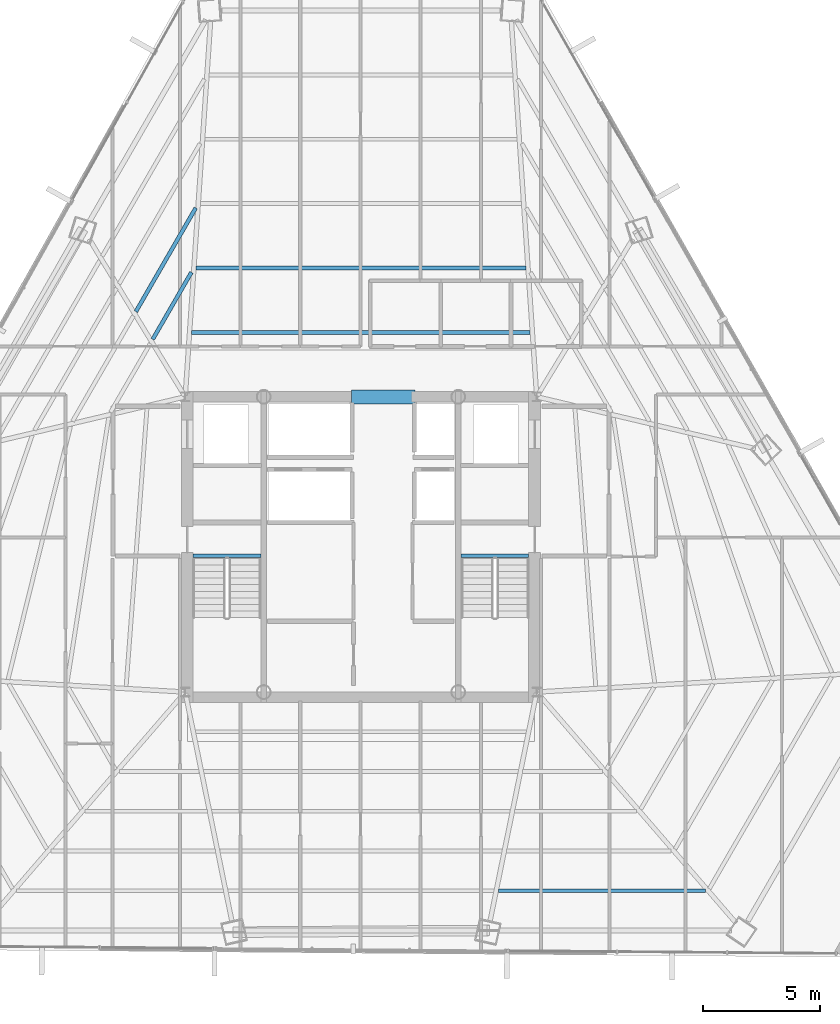
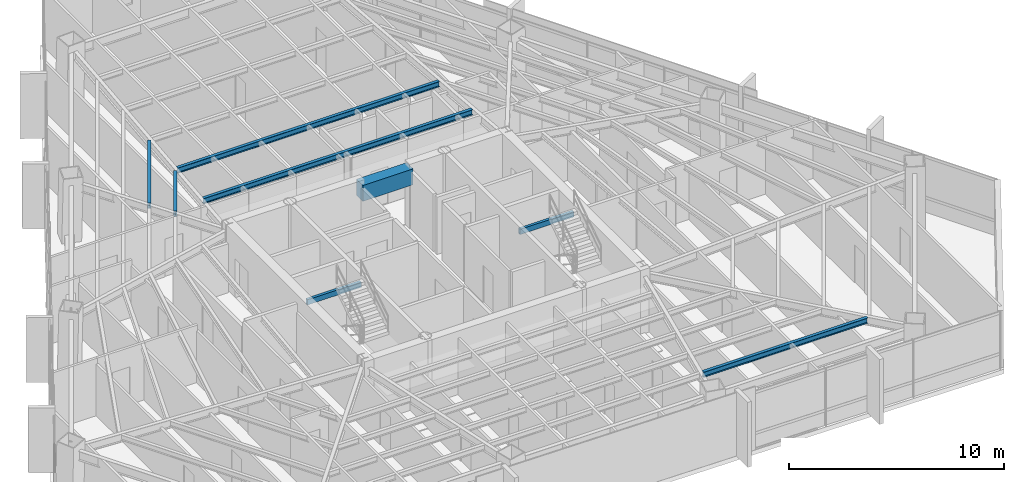
# One storey, part 16 of 40: 8 beams.
"""IFC4 building model written with IfcOpenShell, lengths in metres."""

from ifc_helpers import new_model, si_unit, direction, frame, origin, origin_2d, place, context, subcontext, project, spatial, rectangle, hollow_rectangle, i_section, extrude, source, transform, mapped, material, material_profile, profile_set, type_object, type_shapes, element, save


model = new_model("IFC4")

# Units and contexts
model_context = context("Model", 3, precision=1e-05, world=origin(), true_north=direction((0.0, 1.0)))
body_context = subcontext(model_context, "Body", "Model", "MODEL_VIEW")
ifc_project = project(units=[si_unit("LENGTHUNIT", "METRE"), si_unit("AREAUNIT", "SQUARE_METRE"), si_unit("VOLUMEUNIT", "CUBIC_METRE"), si_unit("PLANEANGLEUNIT", "RADIAN"), si_unit("MASSUNIT", "GRAM", prefix="KILO")], contexts=[model_context])

# Site, building, storey
site_placement = place(None, origin())
site = spatial("IfcSite", under=ifc_project, at=site_placement, CompositionType="ELEMENT")
building_placement = place(site_placement, origin())
building = spatial("IfcBuilding", under=site, at=building_placement, Name="Caelisora Broadcast Tower", CompositionType="ELEMENT")
storey_placement = place(building_placement, frame((0.0, 0.0, 146.39990234375)))
storey = spatial("IfcBuildingStorey", under=building, at=storey_placement, Name="L38", CompositionType="ELEMENT", Elevation=146.39990234375)

# Beams
ifc_material_1 = material(Name="Steel Grade 350 (AS/NZS 1163 C350L0)", Category="steel")
ifc_material_profile_1 = material_profile(ifc_material_1, hollow_rectangle(XDim=0.14990234375, YDim=0.300048828125, WallThickness=0.010009765625, at=origin_2d()), Name="Steel Grade 350 (AS/NZS 1163 C350L0)")
ifc_profile_set_1 = profile_set([ifc_material_profile_1], Name="Steel Grade 350 (AS/NZS 1163 C350L0)")
beam_type_1 = type_object("IfcBeamType", Name="SB05", PredefinedType="JOIST", material=ifc_profile_set_1)
shared_shape_1 = source(origin(), body_context, "Body", "SweptSolid", [
    extrude(hollow_rectangle(XDim=0.14990234375, YDim=0.300048828125, WallThickness=0.010009765625, at=origin_2d()), origin(), (0.0, 0.0, 1.0), 2.89990234375),
])
type_shapes(beam_type_1, [shared_shape_1])
for number, where, z_axis, x_axis, name in (
    (1, (30.840087890625, 23.219970703125, 3.10009765625), (1.0, 0.0, 0.0), (0.0, 1.0, 0.0), "L38 beam SB05"),
    (2, (42.260009765625, 23.219970703125, 3.10009765625), (1.0, 0.0, 0.0), (0.0, 1.0, 0.0), "L38 beam SB05"),
):
    element("IfcBeam", number, at=place(storey_placement, frame(where, z_axis=z_axis, x_axis=x_axis)), inside=storey, type_object=beam_type_1, Name=name, PredefinedType="JOIST", context=body_context, shape_type="MappedRepresentation", body=[
        mapped(shared_shape_1, transform((0.0, 0.0, 0.0), scale=1.0)),
    ])
ifc_material_2 = material(Name="Concrete 50 MPa (AS 3600 S50)", Category="concrete")
ifc_material_profile_2 = material_profile(ifc_material_2, rectangle(XDim=0.60009765625, YDim=0.89990234375, at=origin_2d()), Name="Concrete 50 MPa (AS 3600 S50)")
ifc_profile_set_2 = profile_set([ifc_material_profile_2], Name="Concrete 50 MPa (AS 3600 S50)")
beam_type_2 = type_object("IfcBeamType", Name="CB02", PredefinedType="LINTEL", material=ifc_profile_set_2)
shared_shape_2 = source(origin(), body_context, "Body", "SweptSolid", [
    extrude(rectangle(XDim=0.60009765625, YDim=0.89990234375, at=origin_2d()), origin(), (0.0, 0.0, 1.0), 2.699951171875),
])
type_shapes(beam_type_2, [shared_shape_2])
beam_1_placement = place(storey_placement, frame((37.60009765625, 30.0, 2.9501953125), z_axis=(1.0, 0.0, 0.0), x_axis=(0.0, 1.0, 0.0)))
element("IfcBeam", 3, at=beam_1_placement, inside=storey, type_object=beam_type_2, Name="L38 beam CB02", PredefinedType="LINTEL", context=body_context, shape_type="MappedRepresentation", body=[
    mapped(shared_shape_2, transform((0.0, 0.0, 0.0), scale=1.0)),
])
ifc_material_3 = material(Name="Steel Grade 350 (AS/NZS 3679.1)", Category="steel")
ifc_material_profile_3 = material_profile(ifc_material_3, i_section(OverallWidth=0.166015625, OverallDepth=0.30712890625, WebThickness=0.006591796875, FlangeThickness=0.01171875, at=origin_2d()), Name="Steel Grade 350 (AS/NZS 3679.1)")
ifc_profile_set_3 = profile_set([ifc_material_profile_3], Name="Steel Grade 350 (AS/NZS 3679.1)")
beam_type_3 = type_object("IfcBeamType", Name="SB03", PredefinedType="JOIST", material=ifc_profile_set_3)
shared_shape_3 = source(origin(), body_context, "Body", "SweptSolid", [
    extrude(i_section(OverallWidth=0.166015625, OverallDepth=0.30712890625, WebThickness=0.006591796875, FlangeThickness=0.01171875, at=origin_2d()), origin(), (0.0, 0.0, 1.0), 14.443359375),
])
beam_2_placement = place(storey_placement, frame((45.2216796875, 32.747802734375, 3.096435546875), z_axis=(-1.0, 0.0, 0.0), x_axis=(0.0, -1.0, 0.0)))
element("IfcBeam", 4, at=beam_2_placement, inside=storey, type_object=beam_type_3, Name="L38 beam SB03", PredefinedType="JOIST", context=body_context, shape_type="MappedRepresentation", body=[
    mapped(shared_shape_3, transform((0.0, 0.0, 0.0), scale=1.0)),
])
shared_shape_4 = source(origin(), body_context, "Body", "SweptSolid", [
    extrude(i_section(OverallWidth=0.166015625, OverallDepth=0.30712890625, WebThickness=0.006591796875, FlangeThickness=0.01171875, at=origin_2d()), origin(), (0.0, 0.0, 1.0), 14.072265625),
])
beam_3_placement = place(storey_placement, frame((45.0361328125, 35.495849609375, 3.096435546875), z_axis=(-1.0, 0.0, 0.0), x_axis=(0.0, -1.0, 0.0)))
element("IfcBeam", 5, at=beam_3_placement, inside=storey, type_object=beam_type_3, Name="L38 beam SB03", PredefinedType="JOIST", context=body_context, shape_type="MappedRepresentation", body=[
    mapped(shared_shape_4, transform((0.0, 0.0, 0.0), scale=1.0)),
])
shared_shape_5 = source(origin(), body_context, "Body", "SweptSolid", [
    extrude(i_section(OverallWidth=0.166015625, OverallDepth=0.30712890625, WebThickness=0.006591796875, FlangeThickness=0.01171875, at=origin_2d()), origin(), (0.0, 0.0, 1.0), 3.298583984375),
])
beam_4_placement = place(storey_placement, frame((30.764404296875, 35.310791015625, 3.096435546875), z_axis=(-0.500023563326, -0.866011799064, 0.0), x_axis=(0.866011799064, -0.500023563326, 0.0)))
element("IfcBeam", 6, at=beam_4_placement, inside=storey, type_object=beam_type_3, Name="L38 beam SB03", PredefinedType="JOIST", context=body_context, shape_type="MappedRepresentation", body=[
    mapped(shared_shape_5, transform((0.0, 0.0, 0.0), scale=1.0)),
])
shared_shape_6 = source(origin(), body_context, "Body", "SweptSolid", [
    extrude(i_section(OverallWidth=0.166015625, OverallDepth=0.30712890625, WebThickness=0.006591796875, FlangeThickness=0.01171875, at=origin_2d()), origin(), (0.0, 0.0, 1.0), 5.107666015625),
])
beam_5_placement = place(storey_placement, frame((30.949951171875, 38.05859375, 3.096435546875), z_axis=(-0.500020355681, -0.866013651107, 0.0), x_axis=(0.866013651107, -0.500020355681, 0.0)))
element("IfcBeam", 7, at=beam_5_placement, inside=storey, type_object=beam_type_3, Name="L38 beam SB03", PredefinedType="JOIST", context=body_context, shape_type="MappedRepresentation", body=[
    mapped(shared_shape_6, transform((0.0, 0.0, 0.0), scale=1.0)),
])
shared_shape_7 = source(origin(), body_context, "Body", "SweptSolid", [
    extrude(i_section(OverallWidth=0.166015625, OverallDepth=0.30712890625, WebThickness=0.006591796875, FlangeThickness=0.01171875, at=origin_2d()), origin(), (0.0, 0.0, 1.0), 8.827392578125),
])
type_shapes(beam_type_3, [shared_shape_3, shared_shape_4, shared_shape_5, shared_shape_6, shared_shape_7])
beam_6_placement = place(storey_placement, frame((43.8671875, 8.921142578125, 3.096435546875), z_axis=(1.0, 0.0, 0.0), x_axis=(0.0, 1.0, 0.0)))
element("IfcBeam", 8, at=beam_6_placement, inside=storey, type_object=beam_type_3, Name="L38 beam SB03", PredefinedType="JOIST", context=body_context, shape_type="MappedRepresentation", body=[
    mapped(shared_shape_7, transform((0.0, 0.0, 0.0), scale=1.0)),
])

save(model, "model.ifc")
